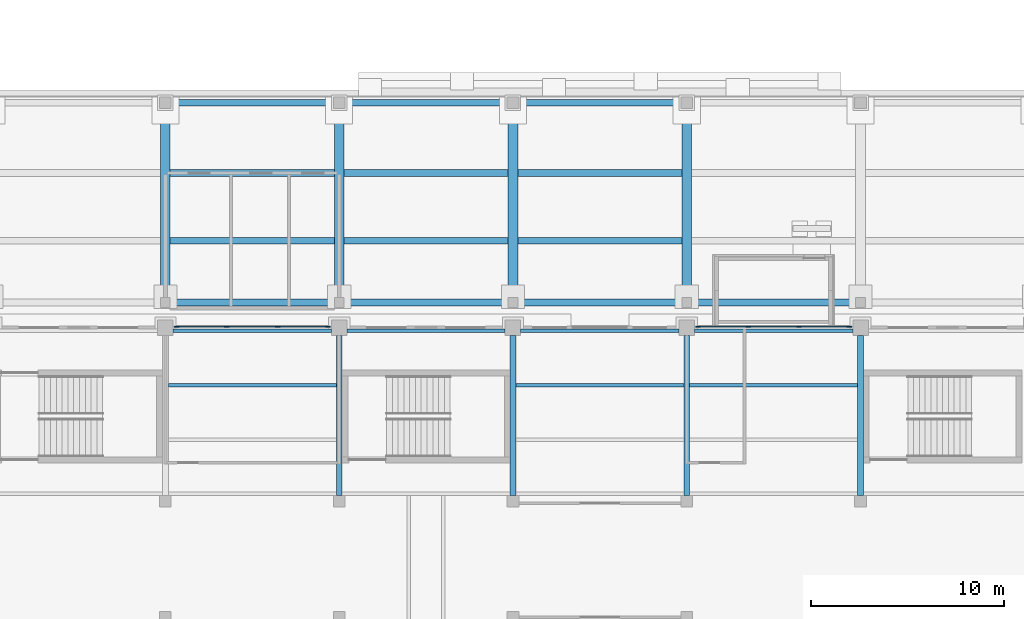
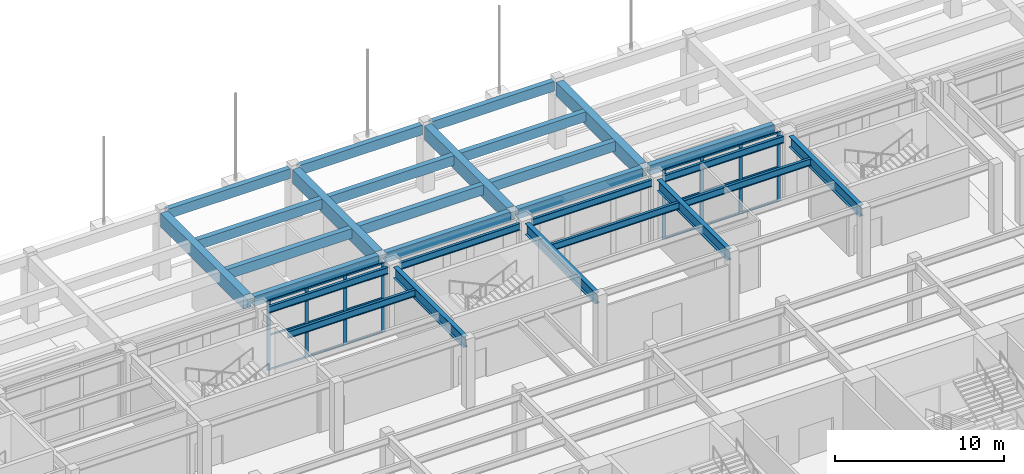
# One storey, part 24 of 77: 28 beams, 26 members, 2 elements without a shape of their own.
"""IFC4 building model written with IfcOpenShell, lengths in metres."""

import ifcopenshell
import ifcopenshell.guid

model = None  # the IFC model being written
_history = None  # IfcOwnerHistory: only IFC2X3 demands one
_inside = {}  # id of a spatial element -> (the spatial element, [elements in it])
_under = {}  # id of a project, library or spatial element -> (it, [spatial elements below it])
_declared = {}  # id of a project -> (the project, [libraries it declares])
_typed = {}  # id of a type object -> (the type object, [elements of that type])
_made_of = {}  # id of a material, layer set ... -> (it, [elements and type objects made of it])


def new_model(schema):
    """Start an empty IFC model of exactly this schema.

    Asked for "IFC4X3", IfcOpenShell would pick the latest addendum, in which some entities
    have other attributes; the version numbers below select the first issue.
    IFC2X3 requires an IfcOwnerHistory on every rooted entity: one is made here for all.
    """
    global model, _history
    if schema == "IFC4X3":
        model = ifcopenshell.file(schema_version=(4, 3, 0, 0))
    else:
        model = ifcopenshell.file(schema=schema)
    _inside.clear()
    _under.clear()
    _declared.clear()
    _typed.clear()
    _made_of.clear()
    _history = None
    if model.schema == "IFC2X3":
        org = make("IfcOrganization", Name="unknown")
        user = make(
            "IfcPersonAndOrganization",
            ThePerson=make("IfcPerson", FamilyName="unknown"),
            TheOrganization=org,
        )
        app = make(
            "IfcApplication",
            ApplicationDeveloper=org,
            Version="unknown",
            ApplicationFullName="unknown",
            ApplicationIdentifier="unknown",
        )
        _history = make(
            "IfcOwnerHistory",
            OwningUser=user,
            OwningApplication=app,
            ChangeAction="ADDED",
            CreationDate=0,
        )
    return model


def make(cls, **values):
    """One entity of the class cls with the attributes given. An attribute that is None is left unset."""
    return model.create_entity(
        cls, **{name: value for name, value in values.items() if value is not None}
    )


def rooted(cls, **values):
    """An entity with a GlobalId (a new one), such as an element, a storey or a relation."""
    return make(cls, GlobalId=ifcopenshell.guid.new(), OwnerHistory=_history, **values)


def si_unit(unit_type, name, prefix=None):
    """IfcSIUnit, for example si_unit("LENGTHUNIT", "METRE", prefix="MILLI")."""
    return make("IfcSIUnit", UnitType=unit_type, Prefix=prefix, Name=name)


def assignment(units):
    """IfcUnitAssignment: the units of a project."""
    return None if units is None else make("IfcUnitAssignment", Units=units)


def point(xyz):
    """IfcCartesianPoint."""
    return None if xyz is None else make("IfcCartesianPoint", Coordinates=xyz)


def direction(xyz):
    """IfcDirection."""
    return None if xyz is None else make("IfcDirection", DirectionRatios=xyz)


def frame(location, z_axis=None, x_axis=None):
    """IfcAxis2Placement3D, a coordinate frame: its origin and axes. An axis left out is left unset."""
    return make(
        "IfcAxis2Placement3D",
        Location=point(location),
        Axis=direction(z_axis),
        RefDirection=direction(x_axis),
    )


def frame_2d(location, x_axis=None):
    """IfcAxis2Placement2D, a coordinate frame in the plane: its origin and x axis."""
    return make(
        "IfcAxis2Placement2D", Location=point(location), RefDirection=direction(x_axis)
    )


def origin():
    """The frame at (0, 0, 0) with its axes left unset."""
    return frame((0.0, 0.0, 0.0))


def origin_2d():
    """The frame at (0, 0) in the plane with its x axis left unset."""
    return frame_2d((0.0, 0.0))


def place(relative_to, where):
    """IfcLocalPlacement: puts the frame where relative to a parent placement (None: the world)."""
    return make(
        "IfcLocalPlacement", PlacementRelTo=relative_to, RelativePlacement=where
    )


def context(
    kind, dimensions, precision=None, world=None, true_north=None, identifier=None
):
    """IfcGeometricRepresentationContext, for example the 3D "Model" context."""
    return make(
        "IfcGeometricRepresentationContext",
        ContextIdentifier=identifier,
        ContextType=kind,
        CoordinateSpaceDimension=dimensions,
        Precision=precision,
        WorldCoordinateSystem=world,
        TrueNorth=true_north,
    )


def subcontext(parent, identifier, kind, view, scale=None):
    """IfcGeometricRepresentationSubContext, for example "Body" below "Model"."""
    return make(
        "IfcGeometricRepresentationSubContext",
        ContextIdentifier=identifier,
        ContextType=kind,
        ParentContext=parent,
        TargetScale=scale,
        TargetView=view,
    )


def project(units=None, contexts=None):
    """IfcProject with its units and contexts."""
    return rooted(
        "IfcProject",
        Name="project",
        RepresentationContexts=contexts,
        UnitsInContext=assignment(units),
    )


def spatial(cls, under=None, at=None, **own):
    """A site, building, storey or space (cls), placed at a placement, below another one or the project."""
    s = rooted(cls, ObjectPlacement=at, **own)
    if under is not None:
        _under.setdefault(under.id(), (under, []))[1].append(s)
    return s


def profile(cls, at=None, kind="AREA", **sizes):
    """A parametric profile (cls). Its sizes go by their IFC names, for example OverallWidth=200.0."""
    return make(cls, ProfileType=kind, Position=at, **sizes)


def rectangle(**sizes):
    """IfcRectangleProfileDef."""
    return profile("IfcRectangleProfileDef", **sizes)


def i_section(**sizes):
    """IfcIShapeProfileDef."""
    return profile("IfcIShapeProfileDef", **sizes)


def extrude(swept, where, along, depth):
    """IfcExtrudedAreaSolid: the profile swept, set in the frame where, extruded along a direction by depth."""
    return make(
        "IfcExtrudedAreaSolid",
        SweptArea=swept,
        Position=where,
        ExtrudedDirection=direction(along),
        Depth=depth,
    )


def shape(context_of_items, identifier, shape_type, items):
    """IfcShapeRepresentation: the items that make up one representation, for example the "Body"."""
    return make(
        "IfcShapeRepresentation",
        ContextOfItems=context_of_items,
        RepresentationIdentifier=identifier,
        RepresentationType=shape_type,
        Items=items,
    )


def material(Name=None, Category=None):
    """IfcMaterial."""
    return make("IfcMaterial", Name=Name, Category=Category)


def material_profile(
    of_material, cross_section, Name=None, Category=None, Priority=None
):
    """IfcMaterialProfile: a cross section and its material."""
    return make(
        "IfcMaterialProfile",
        Name=Name,
        Material=of_material,
        Profile=cross_section,
        Priority=Priority,
        Category=Category,
    )


def profile_set(profiles, Name=None, composite=None):
    """IfcMaterialProfileSet."""
    return make(
        "IfcMaterialProfileSet",
        Name=Name,
        MaterialProfiles=profiles,
        CompositeProfile=composite,
    )


def made_of(thing, what):
    """Note that an element or type object is made of a material, layer set ...; save() writes the relation."""
    if what is not None:
        _made_of.setdefault(what.id(), (what, []))[1].append(thing)
    return thing


def type_object(cls, material=None, **own):
    """A type object (cls), such as IfcWallType, which elements share."""
    return made_of(rooted(cls, **own), material)


def element(
    cls,
    number,
    at=None,
    inside=None,
    cuts=None,
    type_object=None,
    material=None,
    context=None,
    identifier="Body",
    shape_type=None,
    held_by="IfcProductDefinitionShape",
    body=None,
    shapes=None,
    **own,
):
    """One element of the class cls, such as IfcWall. Its Tag is "e" and its number.

    at: its placement. inside: the storey or other place that contains it. cuts: it is an
    opening in that element (IfcRelVoidsElement). A single representation is given by context,
    identifier, shape_type and body (its items); several are given by shapes. held_by: the class
    of the entity that holds the representations. save() writes the other relations.
    """
    e = rooted(cls, Tag="e%d" % number, ObjectPlacement=at, **own)
    if body is not None:
        shapes = [shape(context, identifier, shape_type, body)]
    if shapes is not None:
        e.Representation = make(held_by, Representations=shapes)
    if inside is not None:
        _inside.setdefault(inside.id(), (inside, []))[1].append(e)
    if cuts is not None:
        rooted(
            "IfcRelVoidsElement", RelatingBuildingElement=cuts, RelatedOpeningElement=e
        )
    if type_object is not None:
        _typed.setdefault(type_object.id(), (type_object, []))[1].append(e)
    return made_of(e, material)


def aggregate(whole, parts):
    """IfcRelAggregates: a whole, such as a stair, and the parts it consists of."""
    return rooted("IfcRelAggregates", RelatingObject=whole, RelatedObjects=parts)


def save(model, path):
    """Write the relations noted so far, then the file.

    IfcRelAggregates (storeys below a building ...), IfcRelContainedInSpatialStructure (elements
    in a storey), IfcRelDefinesByType, IfcRelAssociatesMaterial and IfcRelDeclares: one each for
    every whole, place, type object, material and project.
    """
    for whole, parts in _under.values():
        aggregate(whole, parts)
    for where, things in _inside.values():
        rooted(
            "IfcRelContainedInSpatialStructure",
            RelatedElements=things,
            RelatingStructure=where,
        )
    for kind, things in _typed.values():
        rooted("IfcRelDefinesByType", RelatedObjects=things, RelatingType=kind)
    for what, things in _made_of.values():
        rooted("IfcRelAssociatesMaterial", RelatedObjects=things, RelatingMaterial=what)
    for by, libraries in _declared.values():
        rooted("IfcRelDeclares", RelatingContext=by, RelatedDefinitions=libraries)
    model.write(path)


model = new_model("IFC4")

# Units and contexts
model_context = context("Model", 3, precision=1e-05, world=origin(), true_north=direction((0.0, 1.0)))
body_context = subcontext(model_context, "Body", "Model", "MODEL_VIEW")
ifc_project = project(units=[si_unit("LENGTHUNIT", "METRE"), si_unit("AREAUNIT", "SQUARE_METRE"), si_unit("VOLUMEUNIT", "CUBIC_METRE"), si_unit("PLANEANGLEUNIT", "RADIAN"), si_unit("MASSUNIT", "GRAM", prefix="KILO")], contexts=[model_context])

# Site, building, storey
site_placement = place(None, origin())
site = spatial("IfcSite", under=ifc_project, at=site_placement, CompositionType="ELEMENT")
building_placement = place(site_placement, origin())
building = spatial("IfcBuilding", under=site, at=building_placement, Name="Aravalli Gate Trade Fair Centre", CompositionType="ELEMENT")
storey_placement = place(building_placement, origin())
storey = spatial("IfcBuildingStorey", under=building, at=storey_placement, Name="L00", CompositionType="ELEMENT", Elevation=0.0)

# Beams
ifc_material_1 = material(Name="Concrete M40", Category="concrete")
ifc_material_profile_1 = material_profile(ifc_material_1, rectangle(XDim=0.5, YDim=1.0, at=origin_2d()), Name="Arcade cross beam 500 x 1000")
ifc_profile_set_1 = profile_set([ifc_material_profile_1], Name="Concrete M40")
beam_type_1 = type_object("IfcBeamType", Name="Arcade cross beam 500 x 1000", PredefinedType="BEAM", material=ifc_profile_set_1)
for number, where, z_axis, x_axis, name in (
    (1, (60.0, 134.550048828125, 4.25), (0.0, 1.0, 0.0), (-1.0, 0.0, 0.0), "Arcade cross beam 07"),
    (2, (69.0, 134.550048828125, 4.25), (0.0, 1.0, 0.0), (-1.0, 0.0, 0.0), "Arcade cross beam 08"),
    (3, (78.0, 134.550048828125, 4.25), (0.0, 1.0, 0.0), (-1.0, 0.0, 0.0), "Arcade cross beam 09"),
    (4, (87.0, 134.550048828125, 4.25), (0.0, 1.0, 0.0), (-1.0, 0.0, 0.0), "Arcade cross beam 10"),
):
    element("IfcBeam", number, at=place(storey_placement, frame(where, z_axis=z_axis, x_axis=x_axis)), inside=storey, type_object=beam_type_1, Name=name, PredefinedType="BEAM", context=body_context, shape_type="SweptSolid", body=[
        extrude(rectangle(XDim=0.5, YDim=1.0, at=origin_2d()), origin(), (0.0, 0.0, 1.0), 9.800048828125),
    ])
ifc_material_profile_2 = material_profile(ifc_material_1, rectangle(XDim=0.35009765625, YDim=0.699951171875, at=origin_2d()), Name="Arcade terrace beam 350 x 700")
ifc_profile_set_2 = profile_set([ifc_material_profile_2], Name="Concrete M40")
beam_type_2 = type_object("IfcBeamType", Name="Arcade terrace beam 350 x 700", PredefinedType="BEAM", material=ifc_profile_set_2)
for number, where, z_axis, x_axis, name in (
    (5, (60.25, 134.300048828125, 4.39990234375), (1.0, 0.0, 0.0), (0.0, 1.0, 0.0), "Arcade terrace beam 1.07-08"),
    (6, (60.25, 137.5, 4.39990234375), (1.0, 0.0, 0.0), (0.0, 1.0, 0.0), "Arcade terrace beam 2.07-08"),
    (7, (60.25, 141.0, 4.39990234375), (1.0, 0.0, 0.0), (0.0, 1.0, 0.0), "Arcade terrace beam 3.07-08"),
):
    element("IfcBeam", number, at=place(storey_placement, frame(where, z_axis=z_axis, x_axis=x_axis)), inside=storey, type_object=beam_type_2, Name=name, PredefinedType="BEAM", context=body_context, shape_type="SweptSolid", body=[
        extrude(rectangle(XDim=0.35009765625, YDim=0.699951171875, at=origin_2d()), origin(), (0.0, 0.0, 1.0), 8.5),
    ])
beam_1_placement = place(storey_placement, frame((60.300048828125, 144.64990234375, 4.39990234375), z_axis=(1.0, 0.0, 0.0), x_axis=(0.0, 1.0, 0.0)))
element("IfcBeam", 8, at=beam_1_placement, inside=storey, type_object=beam_type_2, Name="Arcade terrace beam 4.07-08", PredefinedType="BEAM", context=body_context, shape_type="SweptSolid", body=[
    extrude(rectangle(XDim=0.35009765625, YDim=0.699951171875, at=origin_2d()), origin(), (0.0, 0.0, 1.0), 8.39990234375),
])
for number, where, z_axis, x_axis, name in (
    (9, (69.25, 134.300048828125, 4.39990234375), (1.0, 0.0, 0.0), (0.0, 1.0, 0.0), "Arcade terrace beam 1.08-09"),
    (10, (69.25, 137.5, 4.39990234375), (1.0, 0.0, 0.0), (0.0, 1.0, 0.0), "Arcade terrace beam 2.08-09"),
    (11, (69.25, 141.0, 4.39990234375), (1.0, 0.0, 0.0), (0.0, 1.0, 0.0), "Arcade terrace beam 3.08-09"),
):
    element("IfcBeam", number, at=place(storey_placement, frame(where, z_axis=z_axis, x_axis=x_axis)), inside=storey, type_object=beam_type_2, Name=name, PredefinedType="BEAM", context=body_context, shape_type="SweptSolid", body=[
        extrude(rectangle(XDim=0.35009765625, YDim=0.699951171875, at=origin_2d()), origin(), (0.0, 0.0, 1.0), 8.5),
    ])
beam_2_placement = place(storey_placement, frame((69.300048828125, 144.64990234375, 4.39990234375), z_axis=(1.0, 0.0, 0.0), x_axis=(0.0, 1.0, 0.0)))
element("IfcBeam", 12, at=beam_2_placement, inside=storey, type_object=beam_type_2, Name="Arcade terrace beam 4.08-09", PredefinedType="BEAM", context=body_context, shape_type="SweptSolid", body=[
    extrude(rectangle(XDim=0.35009765625, YDim=0.699951171875, at=origin_2d()), origin(), (0.0, 0.0, 1.0), 8.39990234375),
])
for number, where, z_axis, x_axis, name in (
    (13, (78.25, 134.300048828125, 4.39990234375), (1.0, 0.0, 0.0), (0.0, 1.0, 0.0), "Arcade terrace beam 1.09-10"),
    (14, (78.25, 137.5, 4.39990234375), (1.0, 0.0, 0.0), (0.0, 1.0, 0.0), "Arcade terrace beam 2.09-10"),
    (15, (78.25, 141.0, 4.39990234375), (1.0, 0.0, 0.0), (0.0, 1.0, 0.0), "Arcade terrace beam 3.09-10"),
):
    element("IfcBeam", number, at=place(storey_placement, frame(where, z_axis=z_axis, x_axis=x_axis)), inside=storey, type_object=beam_type_2, Name=name, PredefinedType="BEAM", context=body_context, shape_type="SweptSolid", body=[
        extrude(rectangle(XDim=0.35009765625, YDim=0.699951171875, at=origin_2d()), origin(), (0.0, 0.0, 1.0), 8.5),
    ])
beam_3_placement = place(storey_placement, frame((78.300048828125, 144.64990234375, 4.39990234375), z_axis=(1.0, 0.0, 0.0), x_axis=(0.0, 1.0, 0.0)))
element("IfcBeam", 16, at=beam_3_placement, inside=storey, type_object=beam_type_2, Name="Arcade terrace beam 4.09-10", PredefinedType="BEAM", context=body_context, shape_type="SweptSolid", body=[
    extrude(rectangle(XDim=0.35009765625, YDim=0.699951171875, at=origin_2d()), origin(), (0.0, 0.0, 1.0), 8.39990234375),
])
beam_4_placement = place(storey_placement, frame((87.25, 134.300048828125, 4.39990234375), z_axis=(1.0, 0.0, 0.0), x_axis=(0.0, 1.0, 0.0)))
element("IfcBeam", 17, at=beam_4_placement, inside=storey, type_object=beam_type_2, Name="Arcade terrace beam 1.10-11", PredefinedType="BEAM", context=body_context, shape_type="SweptSolid", body=[
    extrude(rectangle(XDim=0.35009765625, YDim=0.699951171875, at=origin_2d()), origin(), (0.0, 0.0, 1.0), 8.5),
])

# Curtain wall, members
ifc_material_2 = material(Name="Aluminium and glass", Category="aluminium")
curtain_wall_type = type_object("IfcCurtainWallType", Name="Curtain wall 3000 module, tall", PredefinedType="NOTDEFINED", material=ifc_material_2)
curtain_wall_1_placement = place(storey_placement, origin())
curtain_wall_1 = element("IfcCurtainWall", 18, at=curtain_wall_1_placement, inside=storey, type_object=curtain_wall_type, Name="Curtain wall north bay 7 L00", PredefinedType="NOTDEFINED")
ifc_material_3 = material(Name="Aluminium", Category="aluminium")
ifc_material_profile_3 = material_profile(ifc_material_3, rectangle(XDim=0.06005859375, YDim=0.25, at=origin_2d()), Name="Concourse curtain wall mullion 60 x 250")
ifc_profile_set_3 = profile_set([ifc_material_profile_3], Name="Aluminium")
member_type_1 = type_object("IfcMemberType", Name="Concourse curtain wall mullion 60 x 250", PredefinedType="MULLION", material=ifc_profile_set_3)
member_1_placement = place(storey_placement, frame((60.580078125, 133.044921875, 0.0), z_axis=(0.0, 0.0, 1.0), x_axis=(0.0, 1.0, 0.0)))
member_1 = element("IfcMember", 19, at=member_1_placement, type_object=member_type_1, Name="CW3 mullion 1", PredefinedType="MULLION", context=body_context, shape_type="SweptSolid", body=[
    extrude(rectangle(XDim=0.06005859375, YDim=0.25, at=origin_2d()), origin(), (0.0, 0.0, 1.0), 5.0),
])
member_2_placement = place(storey_placement, frame((63.183349609375, 133.044921875, 0.0), z_axis=(0.0, 0.0, 1.0), x_axis=(0.0, 1.0, 0.0)))
member_2 = element("IfcMember", 20, at=member_2_placement, type_object=member_type_1, Name="CW3 mullion 2", PredefinedType="MULLION", context=body_context, shape_type="SweptSolid", body=[
    extrude(rectangle(XDim=0.06005859375, YDim=0.25, at=origin_2d()), origin(), (0.0, 0.0, 1.0), 5.0),
])
member_3_placement = place(storey_placement, frame((65.816650390625, 133.044921875, 0.0), z_axis=(0.0, 0.0, 1.0), x_axis=(0.0, 1.0, 0.0)))
member_3 = element("IfcMember", 21, at=member_3_placement, type_object=member_type_1, Name="CW3 mullion 3", PredefinedType="MULLION", context=body_context, shape_type="SweptSolid", body=[
    extrude(rectangle(XDim=0.06005859375, YDim=0.25, at=origin_2d()), origin(), (0.0, 0.0, 1.0), 5.0),
])
member_4_placement = place(storey_placement, frame((68.419921875, 133.044921875, 0.0), z_axis=(0.0, 0.0, 1.0), x_axis=(0.0, 1.0, 0.0)))
member_4 = element("IfcMember", 22, at=member_4_placement, type_object=member_type_1, Name="CW3 mullion 4", PredefinedType="MULLION", context=body_context, shape_type="SweptSolid", body=[
    extrude(rectangle(XDim=0.06005859375, YDim=0.25, at=origin_2d()), origin(), (0.0, 0.0, 1.0), 5.0),
])

curtain_wall_2_placement = place(storey_placement, origin())
curtain_wall_2 = element("IfcCurtainWall", 23, at=curtain_wall_2_placement, inside=storey, type_object=curtain_wall_type, Name="Curtain wall north bay 10 L00", PredefinedType="NOTDEFINED")
member_5_placement = place(storey_placement, frame((87.580078125, 133.044921875, 0.0), z_axis=(0.0, 0.0, 1.0), x_axis=(0.0, 1.0, 0.0)))
member_5 = element("IfcMember", 24, at=member_5_placement, type_object=member_type_1, Name="CW3 mullion 1", PredefinedType="MULLION", context=body_context, shape_type="SweptSolid", body=[
    extrude(rectangle(XDim=0.06005859375, YDim=0.25, at=origin_2d()), origin(), (0.0, 0.0, 1.0), 5.0),
])
member_6_placement = place(storey_placement, frame((90.183349609375, 133.044921875, 0.0), z_axis=(0.0, 0.0, 1.0), x_axis=(0.0, 1.0, 0.0)))
member_6 = element("IfcMember", 25, at=member_6_placement, type_object=member_type_1, Name="CW3 mullion 2", PredefinedType="MULLION", context=body_context, shape_type="SweptSolid", body=[
    extrude(rectangle(XDim=0.06005859375, YDim=0.25, at=origin_2d()), origin(), (0.0, 0.0, 1.0), 5.0),
])
member_7_placement = place(storey_placement, frame((92.816650390625, 133.044921875, 0.0), z_axis=(0.0, 0.0, 1.0), x_axis=(0.0, 1.0, 0.0)))
member_7 = element("IfcMember", 26, at=member_7_placement, type_object=member_type_1, Name="CW3 mullion 3", PredefinedType="MULLION", context=body_context, shape_type="SweptSolid", body=[
    extrude(rectangle(XDim=0.06005859375, YDim=0.25, at=origin_2d()), origin(), (0.0, 0.0, 1.0), 5.0),
])
member_8_placement = place(storey_placement, frame((95.419921875, 133.044921875, 0.0), z_axis=(0.0, 0.0, 1.0), x_axis=(0.0, 1.0, 0.0)))
member_8 = element("IfcMember", 27, at=member_8_placement, type_object=member_type_1, Name="CW3 mullion 4", PredefinedType="MULLION", context=body_context, shape_type="SweptSolid", body=[
    extrude(rectangle(XDim=0.06005859375, YDim=0.25, at=origin_2d()), origin(), (0.0, 0.0, 1.0), 5.0),
])

# Member
ifc_material_profile_4 = material_profile(ifc_material_3, rectangle(XDim=0.06005859375, YDim=0.1201171875, at=origin_2d()), Name="Concourse curtain wall transom 60 x 120")
ifc_profile_set_4 = profile_set([ifc_material_profile_4], Name="Aluminium")
member_type_2 = type_object("IfcMemberType", Name="Concourse curtain wall transom 60 x 120", PredefinedType="USERDEFINED", material=ifc_profile_set_4)
member_9_placement = place(storey_placement, frame((60.610107421875, 133.044921875, 0.030029296875), z_axis=(1.0, 0.0, 0.0), x_axis=(0.0, 1.0, 0.0)))
member_9 = element("IfcMember", 28, at=member_9_placement, type_object=member_type_2, Name="CW3 transom 1.1", ObjectType="TRANSOM", PredefinedType="USERDEFINED", context=body_context, shape_type="SweptSolid", body=[
    extrude(rectangle(XDim=0.06005859375, YDim=0.1201171875, at=origin_2d()), origin(), (0.0, 0.0, 1.0), 2.543212890625),
])

member_10_placement = place(storey_placement, frame((60.610107421875, 133.044921875, 2.5), z_axis=(1.0, 0.0, 0.0), x_axis=(0.0, 1.0, 0.0)))
member_10 = element("IfcMember", 29, at=member_10_placement, type_object=member_type_2, Name="CW3 transom 1.2", ObjectType="TRANSOM", PredefinedType="USERDEFINED", context=body_context, shape_type="SweptSolid", body=[
    extrude(rectangle(XDim=0.06005859375, YDim=0.1201171875, at=origin_2d()), origin(), (0.0, 0.0, 1.0), 2.543212890625),
])

member_11_placement = place(storey_placement, frame((60.610107421875, 133.044921875, 4.969970703125), z_axis=(1.0, 0.0, 0.0), x_axis=(0.0, 1.0, 0.0)))
member_11 = element("IfcMember", 30, at=member_11_placement, type_object=member_type_2, Name="CW3 transom 1.3", ObjectType="TRANSOM", PredefinedType="USERDEFINED", context=body_context, shape_type="SweptSolid", body=[
    extrude(rectangle(XDim=0.06005859375, YDim=0.1201171875, at=origin_2d()), origin(), (0.0, 0.0, 1.0), 2.543212890625),
])

member_12_placement = place(storey_placement, frame((63.21337890625, 133.044921875, 0.030029296875), z_axis=(1.0, 0.0, 0.0), x_axis=(0.0, 1.0, 0.0)))
member_12 = element("IfcMember", 31, at=member_12_placement, type_object=member_type_2, Name="CW3 transom 2.1", ObjectType="TRANSOM", PredefinedType="USERDEFINED", context=body_context, shape_type="SweptSolid", body=[
    extrude(rectangle(XDim=0.06005859375, YDim=0.1201171875, at=origin_2d()), origin(), (0.0, 0.0, 1.0), 2.5732421875),
])

member_13_placement = place(storey_placement, frame((63.21337890625, 133.044921875, 2.5), z_axis=(1.0, 0.0, 0.0), x_axis=(0.0, 1.0, 0.0)))
member_13 = element("IfcMember", 32, at=member_13_placement, type_object=member_type_2, Name="CW3 transom 2.2", ObjectType="TRANSOM", PredefinedType="USERDEFINED", context=body_context, shape_type="SweptSolid", body=[
    extrude(rectangle(XDim=0.06005859375, YDim=0.1201171875, at=origin_2d()), origin(), (0.0, 0.0, 1.0), 2.5732421875),
])

member_14_placement = place(storey_placement, frame((63.21337890625, 133.044921875, 4.969970703125), z_axis=(1.0, 0.0, 0.0), x_axis=(0.0, 1.0, 0.0)))
member_14 = element("IfcMember", 33, at=member_14_placement, type_object=member_type_2, Name="CW3 transom 2.3", ObjectType="TRANSOM", PredefinedType="USERDEFINED", context=body_context, shape_type="SweptSolid", body=[
    extrude(rectangle(XDim=0.06005859375, YDim=0.1201171875, at=origin_2d()), origin(), (0.0, 0.0, 1.0), 2.5732421875),
])

member_15_placement = place(storey_placement, frame((65.8466796875, 133.044921875, 0.030029296875), z_axis=(1.0, 0.0, 0.0), x_axis=(0.0, 1.0, 0.0)))
member_15 = element("IfcMember", 34, at=member_15_placement, type_object=member_type_2, Name="CW3 transom 3.1", ObjectType="TRANSOM", PredefinedType="USERDEFINED", context=body_context, shape_type="SweptSolid", body=[
    extrude(rectangle(XDim=0.06005859375, YDim=0.1201171875, at=origin_2d()), origin(), (0.0, 0.0, 1.0), 2.543212890625),
])

member_16_placement = place(storey_placement, frame((65.8466796875, 133.044921875, 2.5), z_axis=(1.0, 0.0, 0.0), x_axis=(0.0, 1.0, 0.0)))
member_16 = element("IfcMember", 35, at=member_16_placement, type_object=member_type_2, Name="CW3 transom 3.2", ObjectType="TRANSOM", PredefinedType="USERDEFINED", context=body_context, shape_type="SweptSolid", body=[
    extrude(rectangle(XDim=0.06005859375, YDim=0.1201171875, at=origin_2d()), origin(), (0.0, 0.0, 1.0), 2.543212890625),
])

member_17_placement = place(storey_placement, frame((65.8466796875, 133.044921875, 4.969970703125), z_axis=(1.0, 0.0, 0.0), x_axis=(0.0, 1.0, 0.0)))
member_17 = element("IfcMember", 36, at=member_17_placement, type_object=member_type_2, Name="CW3 transom 3.3", ObjectType="TRANSOM", PredefinedType="USERDEFINED", context=body_context, shape_type="SweptSolid", body=[
    extrude(rectangle(XDim=0.06005859375, YDim=0.1201171875, at=origin_2d()), origin(), (0.0, 0.0, 1.0), 2.543212890625),
])

aggregate(curtain_wall_1, [member_1, member_2, member_3, member_4, member_9, member_10, member_11, member_12, member_13, member_14, member_15, member_16, member_17])

member_18_placement = place(storey_placement, frame((87.610107421875, 133.044921875, 0.030029296875), z_axis=(1.0, 0.0, 0.0), x_axis=(0.0, 1.0, 0.0)))
member_18 = element("IfcMember", 37, at=member_18_placement, type_object=member_type_2, Name="CW3 transom 1.1", ObjectType="TRANSOM", PredefinedType="USERDEFINED", context=body_context, shape_type="SweptSolid", body=[
    extrude(rectangle(XDim=0.06005859375, YDim=0.1201171875, at=origin_2d()), origin(), (0.0, 0.0, 1.0), 2.543212890625),
])

member_19_placement = place(storey_placement, frame((87.610107421875, 133.044921875, 2.5), z_axis=(1.0, 0.0, 0.0), x_axis=(0.0, 1.0, 0.0)))
member_19 = element("IfcMember", 38, at=member_19_placement, type_object=member_type_2, Name="CW3 transom 1.2", ObjectType="TRANSOM", PredefinedType="USERDEFINED", context=body_context, shape_type="SweptSolid", body=[
    extrude(rectangle(XDim=0.06005859375, YDim=0.1201171875, at=origin_2d()), origin(), (0.0, 0.0, 1.0), 2.543212890625),
])

member_20_placement = place(storey_placement, frame((87.610107421875, 133.044921875, 4.969970703125), z_axis=(1.0, 0.0, 0.0), x_axis=(0.0, 1.0, 0.0)))
member_20 = element("IfcMember", 39, at=member_20_placement, type_object=member_type_2, Name="CW3 transom 1.3", ObjectType="TRANSOM", PredefinedType="USERDEFINED", context=body_context, shape_type="SweptSolid", body=[
    extrude(rectangle(XDim=0.06005859375, YDim=0.1201171875, at=origin_2d()), origin(), (0.0, 0.0, 1.0), 2.543212890625),
])

member_21_placement = place(storey_placement, frame((90.21337890625, 133.044921875, 0.030029296875), z_axis=(1.0, 0.0, 0.0), x_axis=(0.0, 1.0, 0.0)))
member_21 = element("IfcMember", 40, at=member_21_placement, type_object=member_type_2, Name="CW3 transom 2.1", ObjectType="TRANSOM", PredefinedType="USERDEFINED", context=body_context, shape_type="SweptSolid", body=[
    extrude(rectangle(XDim=0.06005859375, YDim=0.1201171875, at=origin_2d()), origin(), (0.0, 0.0, 1.0), 2.5732421875),
])

member_22_placement = place(storey_placement, frame((90.21337890625, 133.044921875, 2.5), z_axis=(1.0, 0.0, 0.0), x_axis=(0.0, 1.0, 0.0)))
member_22 = element("IfcMember", 41, at=member_22_placement, type_object=member_type_2, Name="CW3 transom 2.2", ObjectType="TRANSOM", PredefinedType="USERDEFINED", context=body_context, shape_type="SweptSolid", body=[
    extrude(rectangle(XDim=0.06005859375, YDim=0.1201171875, at=origin_2d()), origin(), (0.0, 0.0, 1.0), 2.5732421875),
])

member_23_placement = place(storey_placement, frame((90.21337890625, 133.044921875, 4.969970703125), z_axis=(1.0, 0.0, 0.0), x_axis=(0.0, 1.0, 0.0)))
member_23 = element("IfcMember", 42, at=member_23_placement, type_object=member_type_2, Name="CW3 transom 2.3", ObjectType="TRANSOM", PredefinedType="USERDEFINED", context=body_context, shape_type="SweptSolid", body=[
    extrude(rectangle(XDim=0.06005859375, YDim=0.1201171875, at=origin_2d()), origin(), (0.0, 0.0, 1.0), 2.5732421875),
])

member_24_placement = place(storey_placement, frame((92.8466796875, 133.044921875, 0.030029296875), z_axis=(1.0, 0.0, 0.0), x_axis=(0.0, 1.0, 0.0)))
member_24 = element("IfcMember", 43, at=member_24_placement, type_object=member_type_2, Name="CW3 transom 3.1", ObjectType="TRANSOM", PredefinedType="USERDEFINED", context=body_context, shape_type="SweptSolid", body=[
    extrude(rectangle(XDim=0.06005859375, YDim=0.1201171875, at=origin_2d()), origin(), (0.0, 0.0, 1.0), 2.543212890625),
])

member_25_placement = place(storey_placement, frame((92.8466796875, 133.044921875, 2.5), z_axis=(1.0, 0.0, 0.0), x_axis=(0.0, 1.0, 0.0)))
member_25 = element("IfcMember", 44, at=member_25_placement, type_object=member_type_2, Name="CW3 transom 3.2", ObjectType="TRANSOM", PredefinedType="USERDEFINED", context=body_context, shape_type="SweptSolid", body=[
    extrude(rectangle(XDim=0.06005859375, YDim=0.1201171875, at=origin_2d()), origin(), (0.0, 0.0, 1.0), 2.543212890625),
])

member_26_placement = place(storey_placement, frame((92.8466796875, 133.044921875, 4.969970703125), z_axis=(1.0, 0.0, 0.0), x_axis=(0.0, 1.0, 0.0)))
member_26 = element("IfcMember", 45, at=member_26_placement, type_object=member_type_2, Name="CW3 transom 3.3", ObjectType="TRANSOM", PredefinedType="USERDEFINED", context=body_context, shape_type="SweptSolid", body=[
    extrude(rectangle(XDim=0.06005859375, YDim=0.1201171875, at=origin_2d()), origin(), (0.0, 0.0, 1.0), 2.543212890625),
])

aggregate(curtain_wall_2, [member_5, member_6, member_7, member_8, member_18, member_19, member_20, member_21, member_22, member_23, member_24, member_25, member_26])

# Beams
ifc_material_4 = material(Name="Steel E350", Category="steel")
ifc_material_profile_5 = material_profile(ifc_material_4, i_section(OverallWidth=0.179931640625, OverallDepth=0.5, WebThickness=0.01025390625, FlangeThickness=0.01708984375, at=origin_2d()), Name="ISMB 500")
ifc_profile_set_5 = profile_set([ifc_material_profile_5], Name="Steel E350")
beam_type_3 = type_object("IfcBeamType", Name="ISMB 500 gallery secondary beam", PredefinedType="JOIST", material=ifc_profile_set_5)
beam_5_placement = place(storey_placement, frame((60.14990234375, 130.0166015625, 4.550048828125), z_axis=(1.0, 0.0, 0.0), x_axis=(0.0, 1.0, 0.0)))
element("IfcBeam", 46, at=beam_5_placement, inside=storey, type_object=beam_type_3, Name="Gallery beam N6 07-08 L01", PredefinedType="JOIST", context=body_context, shape_type="SweptSolid", body=[
    extrude(i_section(OverallWidth=0.179931640625, OverallDepth=0.5, WebThickness=0.01025390625, FlangeThickness=0.01708984375, at=origin_2d()), origin(), (0.0, 0.0, 1.0), 8.7001953125),
])
for number, where, z_axis, x_axis, name in (
    (47, (60.39990234375, 132.830078125, 4.550048828125), (1.0, 0.0, 0.0), (0.0, 1.0, 0.0), "Gallery beam N7 07-08 L01"),
    (48, (69.39990234375, 132.830078125, 4.550048828125), (1.0, 0.0, 0.0), (0.0, 1.0, 0.0), "Gallery beam N7 08-09 L01"),
):
    element("IfcBeam", number, at=place(storey_placement, frame(where, z_axis=z_axis, x_axis=x_axis)), inside=storey, type_object=beam_type_3, Name=name, PredefinedType="JOIST", context=body_context, shape_type="SweptSolid", body=[
        extrude(i_section(OverallWidth=0.179931640625, OverallDepth=0.5, WebThickness=0.01025390625, FlangeThickness=0.01708984375, at=origin_2d()), origin(), (0.0, 0.0, 1.0), 8.2001953125),
    ])
beam_6_placement = place(storey_placement, frame((78.14990234375, 130.0166015625, 4.550048828125), z_axis=(1.0, 0.0, 0.0), x_axis=(0.0, 1.0, 0.0)))
element("IfcBeam", 49, at=beam_6_placement, inside=storey, type_object=beam_type_3, Name="Gallery beam N6 09-10 L01", PredefinedType="JOIST", context=body_context, shape_type="SweptSolid", body=[
    extrude(i_section(OverallWidth=0.179931640625, OverallDepth=0.5, WebThickness=0.01025390625, FlangeThickness=0.01708984375, at=origin_2d()), origin(), (0.0, 0.0, 1.0), 8.7001953125),
])
beam_7_placement = place(storey_placement, frame((78.39990234375, 132.830078125, 4.550048828125), z_axis=(1.0, 0.0, 0.0), x_axis=(0.0, 1.0, 0.0)))
element("IfcBeam", 50, at=beam_7_placement, inside=storey, type_object=beam_type_3, Name="Gallery beam N7 09-10 L01", PredefinedType="JOIST", context=body_context, shape_type="SweptSolid", body=[
    extrude(i_section(OverallWidth=0.179931640625, OverallDepth=0.5, WebThickness=0.01025390625, FlangeThickness=0.01708984375, at=origin_2d()), origin(), (0.0, 0.0, 1.0), 8.2001953125),
])
beam_8_placement = place(storey_placement, frame((87.14990234375, 130.0166015625, 4.550048828125), z_axis=(1.0, 0.0, 0.0), x_axis=(0.0, 1.0, 0.0)))
element("IfcBeam", 51, at=beam_8_placement, inside=storey, type_object=beam_type_3, Name="Gallery beam N6 10-11 L01", PredefinedType="JOIST", context=body_context, shape_type="SweptSolid", body=[
    extrude(i_section(OverallWidth=0.179931640625, OverallDepth=0.5, WebThickness=0.01025390625, FlangeThickness=0.01708984375, at=origin_2d()), origin(), (0.0, 0.0, 1.0), 8.7001953125),
])
beam_9_placement = place(storey_placement, frame((87.39990234375, 132.830078125, 4.550048828125), z_axis=(1.0, 0.0, 0.0), x_axis=(0.0, 1.0, 0.0)))
element("IfcBeam", 52, at=beam_9_placement, inside=storey, type_object=beam_type_3, Name="Gallery beam N7 10-11 L01", PredefinedType="JOIST", context=body_context, shape_type="SweptSolid", body=[
    extrude(i_section(OverallWidth=0.179931640625, OverallDepth=0.5, WebThickness=0.01025390625, FlangeThickness=0.01708984375, at=origin_2d()), origin(), (0.0, 0.0, 1.0), 8.2001953125),
])
ifc_material_profile_6 = material_profile(ifc_material_4, i_section(OverallWidth=0.300048828125, OverallDepth=0.800048828125, WebThickness=0.011962890625, FlangeThickness=0.02490234375, at=origin_2d()), Name="PG 800x300x12x25")
ifc_profile_set_6 = profile_set([ifc_material_profile_6], Name="Steel E350")
beam_type_4 = type_object("IfcBeamType", Name="PG 800x300x12x25 gallery plate girder", PredefinedType="BEAM", material=ifc_profile_set_6)
for number, where, z_axis, x_axis, name in (
    (53, (69.0, 124.300048828125, 4.39990234375), (0.0, 1.0, 0.0), (-1.0, 0.0, 0.0), "Gallery girder N08 L01"),
    (54, (78.0, 124.300048828125, 4.39990234375), (0.0, 1.0, 0.0), (-1.0, 0.0, 0.0), "Gallery girder N09 L01"),
    (55, (87.0, 124.300048828125, 4.39990234375), (0.0, 1.0, 0.0), (-1.0, 0.0, 0.0), "Gallery girder N10 L01"),
    (56, (96.0, 124.300048828125, 4.39990234375), (0.0, 1.0, 0.0), (-1.0, 0.0, 0.0), "Gallery girder N11 L01"),
):
    element("IfcBeam", number, at=place(storey_placement, frame(where, z_axis=z_axis, x_axis=x_axis)), inside=storey, type_object=beam_type_4, Name=name, PredefinedType="BEAM", context=body_context, shape_type="SweptSolid", body=[
        extrude(i_section(OverallWidth=0.300048828125, OverallDepth=0.800048828125, WebThickness=0.011962890625, FlangeThickness=0.02490234375, at=origin_2d()), origin(), (0.0, 0.0, 1.0), 8.300048828125),
    ])

save(model, "model.ifc")
